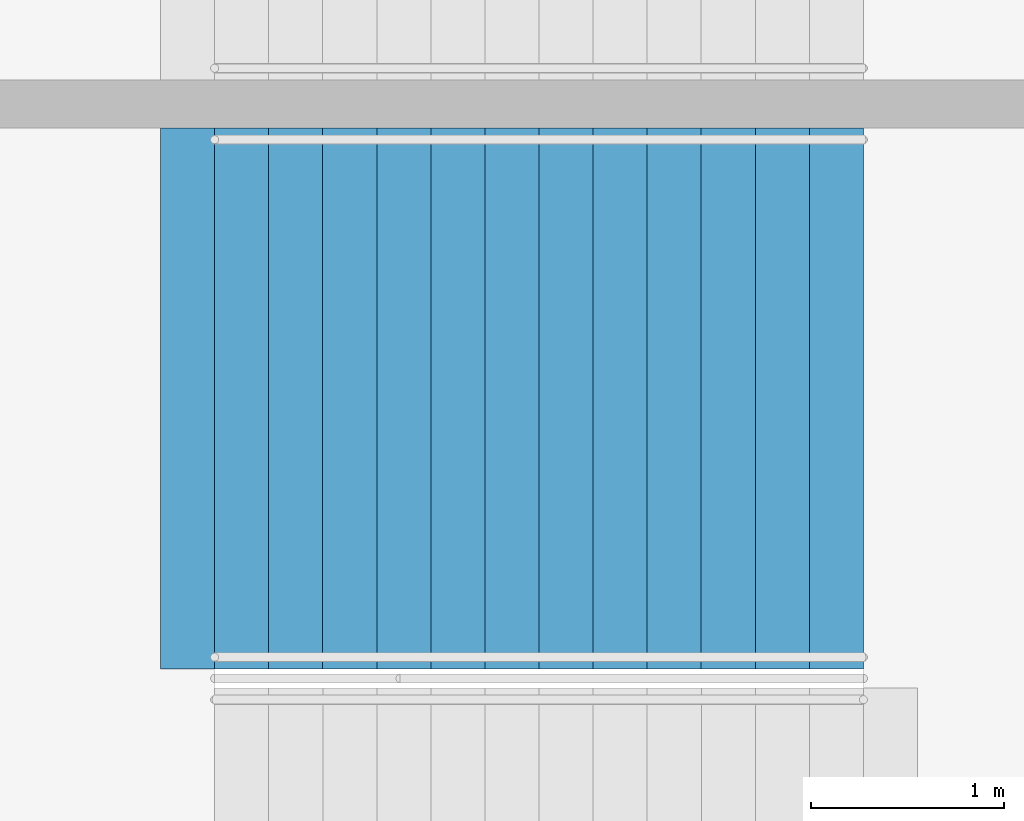
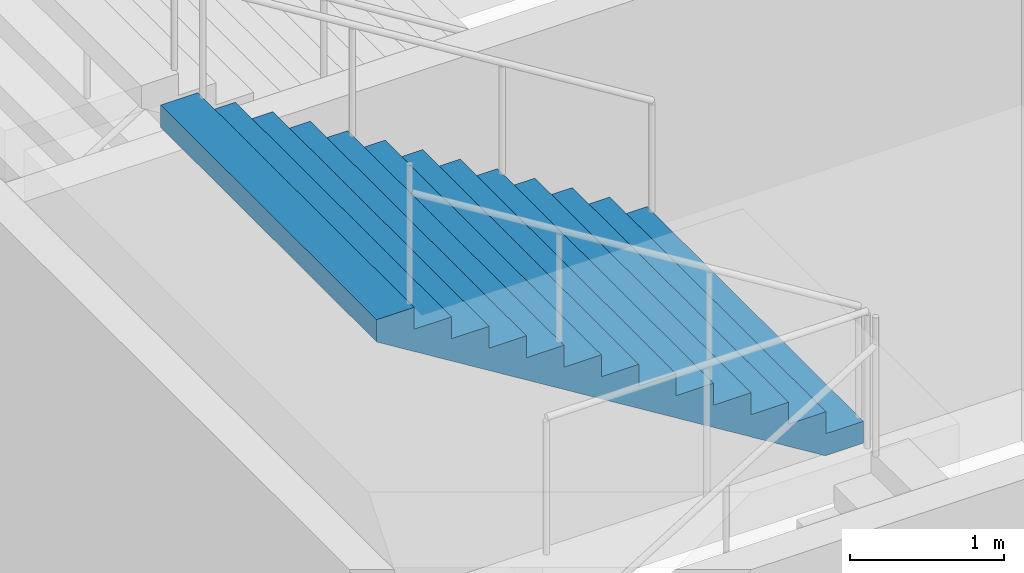
# One storey, part 176 of 249: 1 stair flight, 1 element without a shape of its own.
"""IFC4 building model written with IfcOpenShell, lengths in metres."""

from ifc_helpers import new_model, si_unit, direction, frame, origin, place, context, subcontext, project, spatial, faceted_brep, material, type_object, element, aggregate, save


model = new_model("IFC4")

# Units and contexts
model_context = context("Model", 3, precision=1e-05, world=origin(), true_north=direction((0.0, 1.0)))
body_context = subcontext(model_context, "Body", "Model", "MODEL_VIEW")
ifc_project = project(units=[si_unit("LENGTHUNIT", "METRE"), si_unit("AREAUNIT", "SQUARE_METRE"), si_unit("VOLUMEUNIT", "CUBIC_METRE"), si_unit("PLANEANGLEUNIT", "RADIAN"), si_unit("MASSUNIT", "GRAM", prefix="KILO")], contexts=[model_context])

# Site, building, storey
site_placement = place(None, origin())
site = spatial("IfcSite", under=ifc_project, at=site_placement, CompositionType="ELEMENT")
building_placement = place(site_placement, origin())
building = spatial("IfcBuilding", under=site, at=building_placement, Name="Ogive Plaza Stadium", CompositionType="ELEMENT")
storey_placement = place(building_placement, frame((0.0, 0.0, 13.5)))
storey = spatial("IfcBuildingStorey", under=building, at=storey_placement, Name="L03", CompositionType="ELEMENT", Elevation=13.5)

# Stair, stair flight
ifc_material_1 = material(Name="Concrete C40/50", Category="concrete")
stair_type = type_object("IfcStairType", Name="Exit stair", PredefinedType="STRAIGHT_RUN_STAIR", material=ifc_material_1)
stair_placement = place(storey_placement, origin())
stair = element("IfcStair", 1, at=stair_placement, inside=storey, type_object=stair_type, Name="Exit stair ST08A L03 to L04", PredefinedType="STRAIGHT_RUN_STAIR")
ifc_material_2 = material(Name="Concrete C40/50", Category="concrete")
stair_flight_type = type_object("IfcStairFlightType", Name="Exit stair flight", PredefinedType="STRAIGHT", material=ifc_material_2)
stair_flight_placement = place(storey_placement, frame((79.7099609375, -54.02490234375, 2.25), z_axis=(0.0, 0.0, 1.0), x_axis=(-1.0, 0.0, 0.0)))
stair_flight = element("IfcStairFlight", 2, at=stair_flight_placement, type_object=stair_flight_type, Name="ST08A flight 2", NumberOfRisers=13, NumberOfTreads=12, PredefinedType="STRAIGHT", RiserHeight=0.173076923, TreadLength=0.28, context=body_context, shape_type="Brep", body=[
    faceted_brep([(0.28515625, -1.39990234375, 0.0), (3.639892578125, -1.39990234375, 2.07373046875), (3.639892578125, -1.39990234375, 2.25), (3.360107421875, -1.39990234375, 2.25), (3.360107421875, -1.39990234375, 2.076904296875), (3.080078125, -1.39990234375, 2.076904296875), (3.080078125, -1.39990234375, 1.90380859375), (2.800048828125, -1.39990234375, 1.90380859375), (2.800048828125, -1.39990234375, 1.730712890625), (2.52001953125, -1.39990234375, 1.730712890625), (2.52001953125, -1.39990234375, 1.5576171875), (2.239990234375, -1.39990234375, 1.5576171875), (2.239990234375, -1.39990234375, 1.384521484375), (1.9599609375, -1.39990234375, 1.384521484375), (1.9599609375, -1.39990234375, 1.21142578125), (1.679931640625, -1.39990234375, 1.21142578125), (1.679931640625, -1.39990234375, 1.03857421875), (1.39990234375, -1.39990234375, 1.03857421875), (1.39990234375, -1.39990234375, 0.865478515625), (1.1201171875, -1.39990234375, 0.865478515625), (1.1201171875, -1.39990234375, 0.6923828125), (0.840087890625, -1.39990234375, 0.6923828125), (0.840087890625, -1.39990234375, 0.519287109375), (0.56005859375, -1.39990234375, 0.519287109375), (0.56005859375, -1.39990234375, 0.34619140625), (0.280029296875, -1.39990234375, 0.34619140625), (0.280029296875, -1.39990234375, 0.173095703125), (0.0, -1.39990234375, 0.173095703125), (0.0, -1.39990234375, 0.0), (0.0, 1.39990234375, 0.0), (0.0, 1.39990234375, 0.173095703125), (0.280029296875, 1.39990234375, 0.173095703125), (0.280029296875, 1.39990234375, 0.34619140625), (0.56005859375, 1.39990234375, 0.34619140625), (0.56005859375, 1.39990234375, 0.519287109375), (0.840087890625, 1.39990234375, 0.519287109375), (0.840087890625, 1.39990234375, 0.6923828125), (1.1201171875, 1.39990234375, 0.6923828125), (1.1201171875, 1.39990234375, 0.865478515625), (1.39990234375, 1.39990234375, 0.865478515625), (1.39990234375, 1.39990234375, 1.03857421875), (1.679931640625, 1.39990234375, 1.03857421875), (1.679931640625, 1.39990234375, 1.21142578125), (1.9599609375, 1.39990234375, 1.21142578125), (1.9599609375, 1.39990234375, 1.384521484375), (2.239990234375, 1.39990234375, 1.384521484375), (2.239990234375, 1.39990234375, 1.5576171875), (2.52001953125, 1.39990234375, 1.5576171875), (2.52001953125, 1.39990234375, 1.730712890625), (2.800048828125, 1.39990234375, 1.730712890625), (2.800048828125, 1.39990234375, 1.90380859375), (3.080078125, 1.39990234375, 1.90380859375), (3.080078125, 1.39990234375, 2.076904296875), (3.360107421875, 1.39990234375, 2.076904296875), (3.360107421875, 1.39990234375, 2.25), (3.639892578125, 1.39990234375, 2.25), (3.639892578125, 1.39990234375, 2.07373046875), (0.28515625, 1.39990234375, 0.0), (0.28515625, -1.0888671875, 0.0), (3.639892578125, -1.0888671875, 2.07373046875), (0.28515625, -0.77783203125, 0.0), (3.639892578125, -0.77783203125, 2.07373046875), (0.28515625, -0.466796875, 0.0), (3.639892578125, -0.466796875, 2.07373046875), (0.28515625, -0.155517578125, 0.0), (3.639892578125, -0.155517578125, 2.07373046875), (0.28515625, 0.155517578125, 0.0), (3.639892578125, 0.155517578125, 2.07373046875), (0.28515625, 0.466796875, 0.0), (3.639892578125, 0.466796875, 2.07373046875), (0.28515625, 0.77783203125, 0.0), (3.639892578125, 0.77783203125, 2.07373046875), (0.28515625, 1.0888671875, 0.0), (3.639892578125, 1.0888671875, 2.07373046875), (3.639892578125, -1.0888671875, 2.25), (3.639892578125, -0.77783203125, 2.25), (3.639892578125, -0.466796875, 2.25), (3.639892578125, -0.155517578125, 2.25), (3.639892578125, 0.155517578125, 2.25), (3.639892578125, 0.466796875, 2.25), (3.639892578125, 0.77783203125, 2.25), (3.639892578125, 1.0888671875, 2.25), (3.360107421875, -1.0888671875, 2.25), (3.360107421875, -0.77783203125, 2.25), (3.360107421875, -0.466796875, 2.25), (3.360107421875, -0.155517578125, 2.25), (3.360107421875, 0.155517578125, 2.25), (3.360107421875, 0.466796875, 2.25), (3.360107421875, 0.77783203125, 2.25), (3.360107421875, 1.0888671875, 2.25), (3.360107421875, -1.0888671875, 2.076904296875), (3.360107421875, -0.77783203125, 2.076904296875), (3.360107421875, -0.466796875, 2.076904296875), (3.360107421875, -0.155517578125, 2.076904296875), (3.360107421875, 0.155517578125, 2.076904296875), (3.360107421875, 0.466796875, 2.076904296875), (3.360107421875, 0.77783203125, 2.076904296875), (3.360107421875, 1.0888671875, 2.076904296875), (3.080078125, -1.0888671875, 2.076904296875), (3.080078125, -0.77783203125, 2.076904296875), (3.080078125, -0.466796875, 2.076904296875), (3.080078125, -0.155517578125, 2.076904296875), (3.080078125, 0.155517578125, 2.076904296875), (3.080078125, 0.466796875, 2.076904296875), (3.080078125, 0.77783203125, 2.076904296875), (3.080078125, 1.0888671875, 2.076904296875), (3.080078125, -1.0888671875, 1.90380859375), (3.080078125, -0.77783203125, 1.90380859375), (3.080078125, -0.466796875, 1.90380859375), (3.080078125, -0.155517578125, 1.90380859375), (3.080078125, 0.155517578125, 1.90380859375), (3.080078125, 0.466796875, 1.90380859375), (3.080078125, 0.77783203125, 1.90380859375), (3.080078125, 1.0888671875, 1.90380859375), (2.800048828125, -1.0888671875, 1.90380859375), (2.800048828125, -0.77783203125, 1.90380859375), (2.800048828125, -0.466796875, 1.90380859375), (2.800048828125, -0.155517578125, 1.90380859375), (2.800048828125, 0.155517578125, 1.90380859375), (2.800048828125, 0.466796875, 1.90380859375), (2.800048828125, 0.77783203125, 1.90380859375), (2.800048828125, 1.0888671875, 1.90380859375), (2.800048828125, -1.0888671875, 1.730712890625), (2.800048828125, -0.77783203125, 1.730712890625), (2.800048828125, -0.466796875, 1.730712890625), (2.800048828125, -0.155517578125, 1.730712890625), (2.800048828125, 0.155517578125, 1.730712890625), (2.800048828125, 0.466796875, 1.730712890625), (2.800048828125, 0.77783203125, 1.730712890625), (2.800048828125, 1.0888671875, 1.730712890625), (2.52001953125, -1.0888671875, 1.730712890625), (2.52001953125, -0.77783203125, 1.730712890625), (2.52001953125, -0.466796875, 1.730712890625), (2.52001953125, -0.155517578125, 1.730712890625), (2.52001953125, 0.155517578125, 1.730712890625), (2.52001953125, 0.466796875, 1.730712890625), (2.52001953125, 0.77783203125, 1.730712890625), (2.52001953125, 1.0888671875, 1.730712890625), (2.52001953125, -1.0888671875, 1.5576171875), (2.52001953125, -0.77783203125, 1.5576171875), (2.52001953125, -0.466796875, 1.5576171875), (2.52001953125, -0.155517578125, 1.5576171875), (2.52001953125, 0.155517578125, 1.5576171875), (2.52001953125, 0.466796875, 1.5576171875), (2.52001953125, 0.77783203125, 1.5576171875), (2.52001953125, 1.0888671875, 1.5576171875), (2.239990234375, -1.0888671875, 1.5576171875), (2.239990234375, -0.77783203125, 1.5576171875), (2.239990234375, -0.466796875, 1.5576171875), (2.239990234375, -0.155517578125, 1.5576171875), (2.239990234375, 0.155517578125, 1.5576171875), (2.239990234375, 0.466796875, 1.5576171875), (2.239990234375, 0.77783203125, 1.5576171875), (2.239990234375, 1.0888671875, 1.5576171875), (2.239990234375, -1.0888671875, 1.384521484375), (2.239990234375, -0.77783203125, 1.384521484375), (2.239990234375, -0.466796875, 1.384521484375), (2.239990234375, -0.155517578125, 1.384521484375), (2.239990234375, 0.155517578125, 1.384521484375), (2.239990234375, 0.466796875, 1.384521484375), (2.239990234375, 0.77783203125, 1.384521484375), (2.239990234375, 1.0888671875, 1.384521484375), (1.9599609375, -1.0888671875, 1.384521484375), (1.9599609375, -0.77783203125, 1.384521484375), (1.9599609375, -0.466796875, 1.384521484375), (1.9599609375, -0.155517578125, 1.384521484375), (1.9599609375, 0.155517578125, 1.384521484375), (1.9599609375, 0.466796875, 1.384521484375), (1.9599609375, 0.77783203125, 1.384521484375), (1.9599609375, 1.0888671875, 1.384521484375), (1.9599609375, -1.0888671875, 1.21142578125), (1.9599609375, -0.77783203125, 1.21142578125), (1.9599609375, -0.466796875, 1.21142578125), (1.9599609375, -0.155517578125, 1.21142578125), (1.9599609375, 0.155517578125, 1.21142578125), (1.9599609375, 0.466796875, 1.21142578125), (1.9599609375, 0.77783203125, 1.21142578125), (1.9599609375, 1.0888671875, 1.21142578125), (1.679931640625, -1.0888671875, 1.21142578125), (1.679931640625, -0.77783203125, 1.21142578125), (1.679931640625, -0.466796875, 1.21142578125), (1.679931640625, -0.155517578125, 1.21142578125), (1.679931640625, 0.155517578125, 1.21142578125), (1.679931640625, 0.466796875, 1.21142578125), (1.679931640625, 0.77783203125, 1.21142578125), (1.679931640625, 1.0888671875, 1.21142578125), (1.679931640625, -1.0888671875, 1.03857421875), (1.679931640625, -0.77783203125, 1.03857421875), (1.679931640625, -0.466796875, 1.03857421875), (1.679931640625, -0.155517578125, 1.03857421875), (1.679931640625, 0.155517578125, 1.03857421875), (1.679931640625, 0.466796875, 1.03857421875), (1.679931640625, 0.77783203125, 1.03857421875), (1.679931640625, 1.0888671875, 1.03857421875), (1.39990234375, -1.0888671875, 1.03857421875), (1.39990234375, -0.77783203125, 1.03857421875), (1.39990234375, -0.466796875, 1.03857421875), (1.39990234375, -0.155517578125, 1.03857421875), (1.39990234375, 0.155517578125, 1.03857421875), (1.39990234375, 0.466796875, 1.03857421875), (1.39990234375, 0.77783203125, 1.03857421875), (1.39990234375, 1.0888671875, 1.03857421875), (1.39990234375, -1.0888671875, 0.865478515625), (1.39990234375, -0.77783203125, 0.865478515625), (1.39990234375, -0.466796875, 0.865478515625), (1.39990234375, -0.155517578125, 0.865478515625), (1.39990234375, 0.155517578125, 0.865478515625), (1.39990234375, 0.466796875, 0.865478515625), (1.39990234375, 0.77783203125, 0.865478515625), (1.39990234375, 1.0888671875, 0.865478515625), (1.1201171875, -1.0888671875, 0.865478515625), (1.1201171875, -0.77783203125, 0.865478515625), (1.1201171875, -0.466796875, 0.865478515625), (1.1201171875, -0.155517578125, 0.865478515625), (1.1201171875, 0.155517578125, 0.865478515625), (1.1201171875, 0.466796875, 0.865478515625), (1.1201171875, 0.77783203125, 0.865478515625), (1.1201171875, 1.0888671875, 0.865478515625), (1.1201171875, -1.0888671875, 0.6923828125), (1.1201171875, -0.77783203125, 0.6923828125), (1.1201171875, -0.466796875, 0.6923828125), (1.1201171875, -0.155517578125, 0.6923828125), (1.1201171875, 0.155517578125, 0.6923828125), (1.1201171875, 0.466796875, 0.6923828125), (1.1201171875, 0.77783203125, 0.6923828125), (1.1201171875, 1.0888671875, 0.6923828125), (0.840087890625, -1.0888671875, 0.6923828125), (0.840087890625, -0.77783203125, 0.6923828125), (0.840087890625, -0.466796875, 0.6923828125), (0.840087890625, -0.155517578125, 0.6923828125), (0.840087890625, 0.155517578125, 0.6923828125), (0.840087890625, 0.466796875, 0.6923828125), (0.840087890625, 0.77783203125, 0.6923828125), (0.840087890625, 1.0888671875, 0.6923828125), (0.840087890625, -1.0888671875, 0.519287109375), (0.840087890625, -0.77783203125, 0.519287109375), (0.840087890625, -0.466796875, 0.519287109375), (0.840087890625, -0.155517578125, 0.519287109375), (0.840087890625, 0.155517578125, 0.519287109375), (0.840087890625, 0.466796875, 0.519287109375), (0.840087890625, 0.77783203125, 0.519287109375), (0.840087890625, 1.0888671875, 0.519287109375), (0.56005859375, -1.0888671875, 0.519287109375), (0.56005859375, -0.77783203125, 0.519287109375), (0.56005859375, -0.466796875, 0.519287109375), (0.56005859375, -0.155517578125, 0.519287109375), (0.56005859375, 0.155517578125, 0.519287109375), (0.56005859375, 0.466796875, 0.519287109375), (0.56005859375, 0.77783203125, 0.519287109375), (0.56005859375, 1.0888671875, 0.519287109375), (0.56005859375, -1.0888671875, 0.34619140625), (0.56005859375, -0.77783203125, 0.34619140625), (0.56005859375, -0.466796875, 0.34619140625), (0.56005859375, -0.155517578125, 0.34619140625), (0.56005859375, 0.155517578125, 0.34619140625), (0.56005859375, 0.466796875, 0.34619140625), (0.56005859375, 0.77783203125, 0.34619140625), (0.56005859375, 1.0888671875, 0.34619140625), (0.280029296875, -1.0888671875, 0.34619140625), (0.280029296875, -0.77783203125, 0.34619140625), (0.280029296875, -0.466796875, 0.34619140625), (0.280029296875, -0.155517578125, 0.34619140625), (0.280029296875, 0.155517578125, 0.34619140625), (0.280029296875, 0.466796875, 0.34619140625), (0.280029296875, 0.77783203125, 0.34619140625), (0.280029296875, 1.0888671875, 0.34619140625), (0.280029296875, -1.0888671875, 0.173095703125), (0.280029296875, -0.77783203125, 0.173095703125), (0.280029296875, -0.466796875, 0.173095703125), (0.280029296875, -0.155517578125, 0.173095703125), (0.280029296875, 0.155517578125, 0.173095703125), (0.280029296875, 0.466796875, 0.173095703125), (0.280029296875, 0.77783203125, 0.173095703125), (0.280029296875, 1.0888671875, 0.173095703125), (0.0, -1.0888671875, 0.173095703125), (0.0, -0.77783203125, 0.173095703125), (0.0, -0.466796875, 0.173095703125), (0.0, -0.155517578125, 0.173095703125), (0.0, 0.155517578125, 0.173095703125), (0.0, 0.466796875, 0.173095703125), (0.0, 0.77783203125, 0.173095703125), (0.0, 1.0888671875, 0.173095703125), (0.0, -1.0888671875, 0.0), (0.0, -0.77783203125, 0.0), (0.0, -0.466796875, 0.0), (0.0, -0.155517578125, 0.0), (0.0, 0.155517578125, 0.0), (0.0, 0.466796875, 0.0), (0.0, 0.77783203125, 0.0), (0.0, 1.0888671875, 0.0)], [[[0, 1, 2, 3, 4, 5, 6, 7, 8, 9, 10, 11, 12, 13, 14, 15, 16, 17, 18, 19, 20, 21, 22, 23, 24, 25, 26, 27, 28]], [[29, 30, 31, 32, 33, 34, 35, 36, 37, 38, 39, 40, 41, 42, 43, 44, 45, 46, 47, 48, 49, 50, 51, 52, 53, 54, 55, 56, 57]], [[0, 58, 59, 1]], [[58, 60, 61, 59]], [[60, 62, 63, 61]], [[62, 64, 65, 63]], [[64, 66, 67, 65]], [[66, 68, 69, 67]], [[68, 70, 71, 69]], [[70, 72, 73, 71]], [[72, 57, 56, 73]], [[1, 59, 74, 2]], [[59, 61, 75, 74]], [[61, 63, 76, 75]], [[63, 65, 77, 76]], [[65, 67, 78, 77]], [[67, 69, 79, 78]], [[69, 71, 80, 79]], [[71, 73, 81, 80]], [[73, 56, 55, 81]], [[2, 74, 82, 3]], [[74, 75, 83, 82]], [[75, 76, 84, 83]], [[76, 77, 85, 84]], [[77, 78, 86, 85]], [[78, 79, 87, 86]], [[79, 80, 88, 87]], [[80, 81, 89, 88]], [[81, 55, 54, 89]], [[3, 82, 90, 4]], [[82, 83, 91, 90]], [[83, 84, 92, 91]], [[84, 85, 93, 92]], [[85, 86, 94, 93]], [[86, 87, 95, 94]], [[87, 88, 96, 95]], [[88, 89, 97, 96]], [[89, 54, 53, 97]], [[4, 90, 98, 5]], [[90, 91, 99, 98]], [[91, 92, 100, 99]], [[92, 93, 101, 100]], [[93, 94, 102, 101]], [[94, 95, 103, 102]], [[95, 96, 104, 103]], [[96, 97, 105, 104]], [[97, 53, 52, 105]], [[5, 98, 106, 6]], [[98, 99, 107, 106]], [[99, 100, 108, 107]], [[100, 101, 109, 108]], [[101, 102, 110, 109]], [[102, 103, 111, 110]], [[103, 104, 112, 111]], [[104, 105, 113, 112]], [[105, 52, 51, 113]], [[6, 106, 114, 7]], [[106, 107, 115, 114]], [[107, 108, 116, 115]], [[108, 109, 117, 116]], [[109, 110, 118, 117]], [[110, 111, 119, 118]], [[111, 112, 120, 119]], [[112, 113, 121, 120]], [[113, 51, 50, 121]], [[7, 114, 122, 8]], [[114, 115, 123, 122]], [[115, 116, 124, 123]], [[116, 117, 125, 124]], [[117, 118, 126, 125]], [[118, 119, 127, 126]], [[119, 120, 128, 127]], [[120, 121, 129, 128]], [[121, 50, 49, 129]], [[8, 122, 130, 9]], [[122, 123, 131, 130]], [[123, 124, 132, 131]], [[124, 125, 133, 132]], [[125, 126, 134, 133]], [[126, 127, 135, 134]], [[127, 128, 136, 135]], [[128, 129, 137, 136]], [[129, 49, 48, 137]], [[9, 130, 138, 10]], [[130, 131, 139, 138]], [[131, 132, 140, 139]], [[132, 133, 141, 140]], [[133, 134, 142, 141]], [[134, 135, 143, 142]], [[135, 136, 144, 143]], [[136, 137, 145, 144]], [[137, 48, 47, 145]], [[10, 138, 146, 11]], [[138, 139, 147, 146]], [[139, 140, 148, 147]], [[140, 141, 149, 148]], [[141, 142, 150, 149]], [[142, 143, 151, 150]], [[143, 144, 152, 151]], [[144, 145, 153, 152]], [[145, 47, 46, 153]], [[11, 146, 154, 12]], [[146, 147, 155, 154]], [[147, 148, 156, 155]], [[148, 149, 157, 156]], [[149, 150, 158, 157]], [[150, 151, 159, 158]], [[151, 152, 160, 159]], [[152, 153, 161, 160]], [[153, 46, 45, 161]], [[12, 154, 162, 13]], [[154, 155, 163, 162]], [[155, 156, 164, 163]], [[156, 157, 165, 164]], [[157, 158, 166, 165]], [[158, 159, 167, 166]], [[159, 160, 168, 167]], [[160, 161, 169, 168]], [[161, 45, 44, 169]], [[13, 162, 170, 14]], [[162, 163, 171, 170]], [[163, 164, 172, 171]], [[164, 165, 173, 172]], [[165, 166, 174, 173]], [[166, 167, 175, 174]], [[167, 168, 176, 175]], [[168, 169, 177, 176]], [[169, 44, 43, 177]], [[14, 170, 178, 15]], [[170, 171, 179, 178]], [[171, 172, 180, 179]], [[172, 173, 181, 180]], [[173, 174, 182, 181]], [[174, 175, 183, 182]], [[175, 176, 184, 183]], [[176, 177, 185, 184]], [[177, 43, 42, 185]], [[15, 178, 186, 16]], [[178, 179, 187, 186]], [[179, 180, 188, 187]], [[180, 181, 189, 188]], [[181, 182, 190, 189]], [[182, 183, 191, 190]], [[183, 184, 192, 191]], [[184, 185, 193, 192]], [[185, 42, 41, 193]], [[16, 186, 194, 17]], [[186, 187, 195, 194]], [[187, 188, 196, 195]], [[188, 189, 197, 196]], [[189, 190, 198, 197]], [[190, 191, 199, 198]], [[191, 192, 200, 199]], [[192, 193, 201, 200]], [[193, 41, 40, 201]], [[17, 194, 202, 18]], [[194, 195, 203, 202]], [[195, 196, 204, 203]], [[196, 197, 205, 204]], [[197, 198, 206, 205]], [[198, 199, 207, 206]], [[199, 200, 208, 207]], [[200, 201, 209, 208]], [[201, 40, 39, 209]], [[18, 202, 210, 19]], [[202, 203, 211, 210]], [[203, 204, 212, 211]], [[204, 205, 213, 212]], [[205, 206, 214, 213]], [[206, 207, 215, 214]], [[207, 208, 216, 215]], [[208, 209, 217, 216]], [[209, 39, 38, 217]], [[19, 210, 218, 20]], [[210, 211, 219, 218]], [[211, 212, 220, 219]], [[212, 213, 221, 220]], [[213, 214, 222, 221]], [[214, 215, 223, 222]], [[215, 216, 224, 223]], [[216, 217, 225, 224]], [[217, 38, 37, 225]], [[20, 218, 226, 21]], [[218, 219, 227, 226]], [[219, 220, 228, 227]], [[220, 221, 229, 228]], [[221, 222, 230, 229]], [[222, 223, 231, 230]], [[223, 224, 232, 231]], [[224, 225, 233, 232]], [[225, 37, 36, 233]], [[21, 226, 234, 22]], [[226, 227, 235, 234]], [[227, 228, 236, 235]], [[228, 229, 237, 236]], [[229, 230, 238, 237]], [[230, 231, 239, 238]], [[231, 232, 240, 239]], [[232, 233, 241, 240]], [[233, 36, 35, 241]], [[22, 234, 242, 23]], [[234, 235, 243, 242]], [[235, 236, 244, 243]], [[236, 237, 245, 244]], [[237, 238, 246, 245]], [[238, 239, 247, 246]], [[239, 240, 248, 247]], [[240, 241, 249, 248]], [[241, 35, 34, 249]], [[23, 242, 250, 24]], [[242, 243, 251, 250]], [[243, 244, 252, 251]], [[244, 245, 253, 252]], [[245, 246, 254, 253]], [[246, 247, 255, 254]], [[247, 248, 256, 255]], [[248, 249, 257, 256]], [[249, 34, 33, 257]], [[24, 250, 258, 25]], [[250, 251, 259, 258]], [[251, 252, 260, 259]], [[252, 253, 261, 260]], [[253, 254, 262, 261]], [[254, 255, 263, 262]], [[255, 256, 264, 263]], [[256, 257, 265, 264]], [[257, 33, 32, 265]], [[25, 258, 266, 26]], [[258, 259, 267, 266]], [[259, 260, 268, 267]], [[260, 261, 269, 268]], [[261, 262, 270, 269]], [[262, 263, 271, 270]], [[263, 264, 272, 271]], [[264, 265, 273, 272]], [[265, 32, 31, 273]], [[26, 266, 274, 27]], [[266, 267, 275, 274]], [[267, 268, 276, 275]], [[268, 269, 277, 276]], [[269, 270, 278, 277]], [[270, 271, 279, 278]], [[271, 272, 280, 279]], [[272, 273, 281, 280]], [[273, 31, 30, 281]], [[27, 274, 282, 28]], [[274, 275, 283, 282]], [[275, 276, 284, 283]], [[276, 277, 285, 284]], [[277, 278, 286, 285]], [[278, 279, 287, 286]], [[279, 280, 288, 287]], [[280, 281, 289, 288]], [[281, 30, 29, 289]], [[28, 282, 58, 0]], [[282, 283, 60, 58]], [[283, 284, 62, 60]], [[284, 285, 64, 62]], [[285, 286, 66, 64]], [[286, 287, 68, 66]], [[287, 288, 70, 68]], [[288, 289, 72, 70]], [[289, 29, 57, 72]]]),
])
aggregate(stair, [stair_flight])

save(model, "model.ifc")
